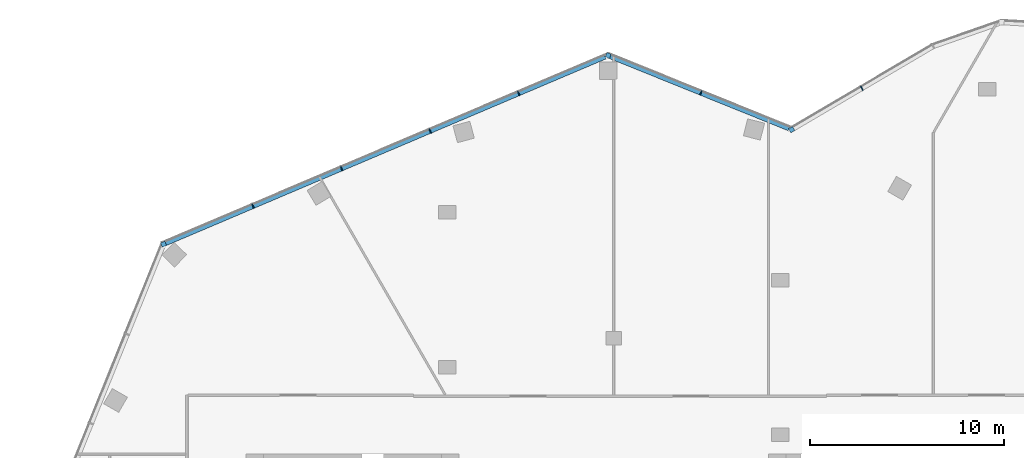
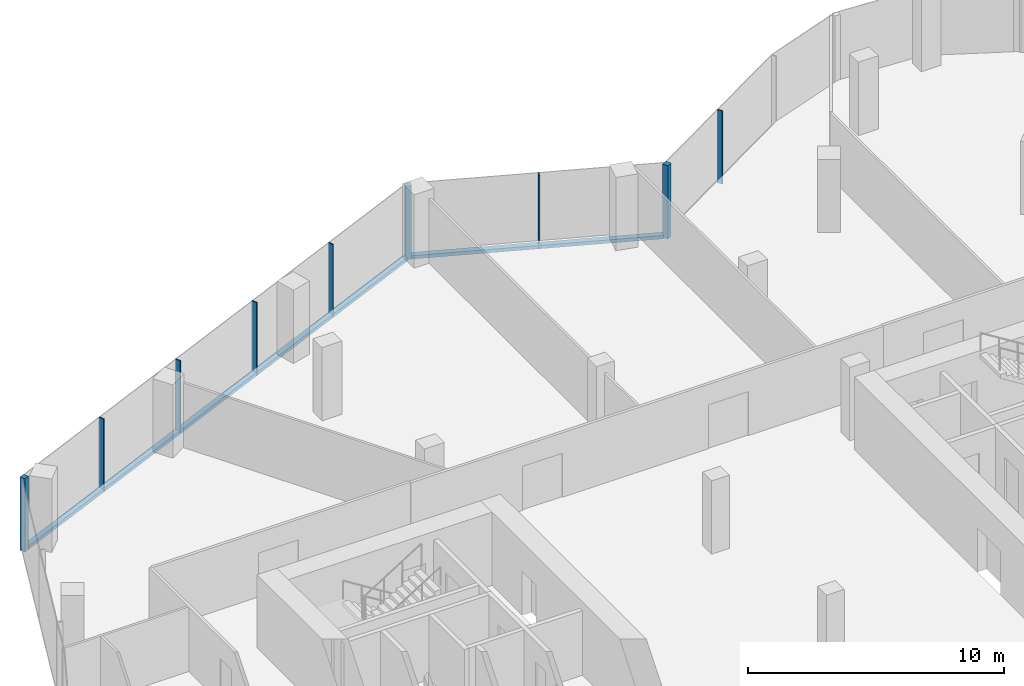
# One storey, part 8 of 16: 11 members, 3 elements without a shape of their own.
"""IFC4 building model written with IfcOpenShell, lengths in metres."""

from ifc_helpers import new_model, si_unit, direction, frame, origin, origin_2d, place, context, subcontext, project, spatial, rectangle, extrude, material, material_profile, profile_set, type_object, element, aggregate, save


model = new_model("IFC4")

# Units and contexts
model_context = context("Model", 3, precision=1e-05, world=origin(), true_north=direction((0.0, 1.0)))
body_context = subcontext(model_context, "Body", "Model", "MODEL_VIEW")
ifc_project = project(units=[si_unit("LENGTHUNIT", "METRE"), si_unit("AREAUNIT", "SQUARE_METRE"), si_unit("VOLUMEUNIT", "CUBIC_METRE"), si_unit("PLANEANGLEUNIT", "RADIAN"), si_unit("MASSUNIT", "GRAM", prefix="KILO")], contexts=[model_context])

# Site, building, storey
site_placement = place(None, origin())
site = spatial("IfcSite", under=ifc_project, at=site_placement, CompositionType="ELEMENT")
building_placement = place(site_placement, origin())
building = spatial("IfcBuilding", under=site, at=building_placement, Name="Orlundy Tower", CompositionType="ELEMENT")
storey_placement = place(building_placement, frame((0.0, 0.0, 285.89990234375)))
storey = spatial("IfcBuildingStorey", under=building, at=storey_placement, Name="L76", CompositionType="ELEMENT", Elevation=285.89990234375)

# Curtain wall, member
ifc_material_1 = material(Name="Aluminium bronze anodised", Category="aluminium")
curtain_wall_type = type_object("IfcCurtainWallType", Name="CW6 wall", PredefinedType="NOTDEFINED", material=ifc_material_1)
curtain_wall_1_placement = place(storey_placement, origin())
curtain_wall_1 = element("IfcCurtainWall", 1, at=curtain_wall_1_placement, inside=storey, type_object=curtain_wall_type, Name="CW6 run 016", PredefinedType="NOTDEFINED")
ifc_material_2 = material(Name="Aluminium bronze anodised", Category="aluminium")
ifc_material_profile_1 = material_profile(ifc_material_2, rectangle(XDim=0.239990234375, YDim=0.239990234375, at=origin_2d()), Name="CW6 corner post 240x240")
ifc_profile_set_1 = profile_set([ifc_material_profile_1], Name="Aluminium bronze anodised")
member_type_1 = type_object("IfcMemberType", Name="CW6 corner post 240x240", PredefinedType="MULLION", material=ifc_profile_set_1)
member_1_placement = place(storey_placement, frame((-23.253662109375, 22.85107421875, -0.39990234375), z_axis=(0.0, 0.0, 1.0), x_axis=(-0.390726531244, 0.920506804854, 0.0)))
member_1 = element("IfcMember", 2, at=member_1_placement, type_object=member_type_1, Name="CW6 mullion 32", PredefinedType="MULLION", context=body_context, shape_type="SweptSolid", body=[
    extrude(rectangle(XDim=0.239990234375, YDim=0.239990234375, at=origin_2d()), origin(), (0.0, 0.0, 1.0), 3.5),
])

curtain_wall_2_placement = place(storey_placement, origin())
curtain_wall_2 = element("IfcCurtainWall", 3, at=curtain_wall_2_placement, inside=storey, type_object=curtain_wall_type, Name="CW6 run 017", PredefinedType="NOTDEFINED")
member_2_placement = place(storey_placement, frame((-0.2841796875, 32.600830078125, -0.39990234375), z_axis=(0.0, 0.0, 1.0), x_axis=(0.374639101319, 0.927170719858, 0.0)))
member_2 = element("IfcMember", 4, at=member_2_placement, type_object=member_type_1, Name="CW6 mullion 37", PredefinedType="MULLION", context=body_context, shape_type="SweptSolid", body=[
    extrude(rectangle(XDim=0.239990234375, YDim=0.239990234375, at=origin_2d()), origin(), (0.0, 0.0, 1.0), 3.5),
])

curtain_wall_3_placement = place(storey_placement, origin())
curtain_wall_3 = element("IfcCurtainWall", 5, at=curtain_wall_3_placement, inside=storey, type_object=curtain_wall_type, Name="CW6 run 018", PredefinedType="NOTDEFINED")
member_3_placement = place(storey_placement, frame((9.197998046875, 28.76953125, -0.39990234375), z_axis=(0.0, 0.0, 1.0), x_axis=(-0.5074810252, 0.861662932394, 0.0)))
member_3 = element("IfcMember", 6, at=member_3_placement, type_object=member_type_1, Name="CW6 mullion 39", PredefinedType="MULLION", context=body_context, shape_type="SweptSolid", body=[
    extrude(rectangle(XDim=0.239990234375, YDim=0.239990234375, at=origin_2d()), origin(), (0.0, 0.0, 1.0), 3.5),
])

# Member
ifc_material_3 = material(Name="Aluminium bronze anodised", Category="aluminium")
ifc_material_profile_2 = material_profile(ifc_material_3, rectangle(XDim=0.239990234375, YDim=0.050048828125, at=origin_2d()), Name="CW6 mullion 50x240")
ifc_profile_set_2 = profile_set([ifc_material_profile_2], Name="Aluminium bronze anodised")
member_type_2 = type_object("IfcMemberType", Name="CW6 mullion 50x240", PredefinedType="MULLION", material=ifc_profile_set_2)
member_4_placement = place(storey_placement, frame((-18.63232421875, 24.812744140625, -0.39990234375), z_axis=(0.0, 0.0, 1.0), x_axis=(-0.390726531244, 0.920506804854, 0.0)))
member_4 = element("IfcMember", 7, at=member_4_placement, type_object=member_type_2, Name="CW6 mullion 33", PredefinedType="MULLION", context=body_context, shape_type="SweptSolid", body=[
    extrude(rectangle(XDim=0.239990234375, YDim=0.050048828125, at=origin_2d()), origin(), (0.0, 0.0, 1.0), 3.5),
])

member_5_placement = place(storey_placement, frame((-14.056640625, 26.7548828125, -0.39990234375), z_axis=(0.0, 0.0, 1.0), x_axis=(-0.390726531244, 0.920506804854, 0.0)))
member_5 = element("IfcMember", 8, at=member_5_placement, type_object=member_type_2, Name="CW6 mullion 34", PredefinedType="MULLION", context=body_context, shape_type="SweptSolid", body=[
    extrude(rectangle(XDim=0.239990234375, YDim=0.050048828125, at=origin_2d()), origin(), (0.0, 0.0, 1.0), 3.5),
])

member_6_placement = place(storey_placement, frame((-9.481201171875, 28.697021484375, -0.39990234375), z_axis=(0.0, 0.0, 1.0), x_axis=(-0.390726531244, 0.920506804854, 0.0)))
member_6 = element("IfcMember", 9, at=member_6_placement, type_object=member_type_2, Name="CW6 mullion 35", PredefinedType="MULLION", context=body_context, shape_type="SweptSolid", body=[
    extrude(rectangle(XDim=0.239990234375, YDim=0.050048828125, at=origin_2d()), origin(), (0.0, 0.0, 1.0), 3.5),
])

member_7_placement = place(storey_placement, frame((-4.905517578125, 30.63916015625, -0.39990234375), z_axis=(0.0, 0.0, 1.0), x_axis=(-0.390726531244, 0.920506804854, 0.0)))
member_7 = element("IfcMember", 10, at=member_7_placement, type_object=member_type_2, Name="CW6 mullion 36", PredefinedType="MULLION", context=body_context, shape_type="SweptSolid", body=[
    extrude(rectangle(XDim=0.239990234375, YDim=0.050048828125, at=origin_2d()), origin(), (0.0, 0.0, 1.0), 3.5),
])

member_8_placement = place(storey_placement, frame((4.507568359375, 30.664794921875, -0.39990234375), z_axis=(0.0, 0.0, 1.0), x_axis=(0.374639101319, 0.927170719858, 0.0)))
member_8 = element("IfcMember", 11, at=member_8_placement, type_object=member_type_2, Name="CW6 mullion 38", PredefinedType="MULLION", context=body_context, shape_type="SweptSolid", body=[
    extrude(rectangle(XDim=0.239990234375, YDim=0.050048828125, at=origin_2d()), origin(), (0.0, 0.0, 1.0), 3.5),
])

member_9_placement = place(storey_placement, frame((12.822998046875, 30.904296875, -0.39990234375), z_axis=(0.0, 0.0, 1.0), x_axis=(-0.5074810252, 0.861662932394, 0.0)))
member_9 = element("IfcMember", 12, at=member_9_placement, type_object=member_type_2, Name="CW6 mullion 40", PredefinedType="MULLION", context=body_context, shape_type="SweptSolid", body=[
    extrude(rectangle(XDim=0.239990234375, YDim=0.050048828125, at=origin_2d()), origin(), (0.0, 0.0, 1.0), 3.5),
])

aggregate(curtain_wall_3, [member_3, member_9])

ifc_material_4 = material(Name="Aluminium bronze anodised", Category="aluminium")
ifc_material_profile_3 = material_profile(ifc_material_4, rectangle(XDim=0.239990234375, YDim=0.159912109375, at=origin_2d()), Name="CW6 transom 240x160")
ifc_profile_set_3 = profile_set([ifc_material_profile_3], Name="Aluminium bronze anodised")
member_type_3 = type_object("IfcMemberType", Name="CW6 transom 240x160", PredefinedType="USERDEFINED", material=ifc_profile_set_3)
member_10_placement = place(storey_placement, frame((-23.14306640625, 22.89794921875, -0.31982421875), z_axis=(0.920504544268, 0.390731856881, 0.0), x_axis=(-0.390731856881, 0.920504544268, 0.0)))
member_10 = element("IfcMember", 13, at=member_10_placement, type_object=member_type_3, Name="CW6 transom", ObjectType="TRANSOM", PredefinedType="USERDEFINED", context=body_context, shape_type="SweptSolid", body=[
    extrude(rectangle(XDim=0.239990234375, YDim=0.159912109375, at=origin_2d()), origin(), (0.0, 0.0, 1.0), 24.663330078125),
])

aggregate(curtain_wall_1, [member_1, member_4, member_5, member_6, member_7, member_10])

member_11_placement = place(storey_placement, frame((-0.1728515625, 32.555908203125, -0.31982421875), z_axis=(0.927173868199, -0.374631309595, 0.0), x_axis=(0.374631309595, 0.927173868199, 0.0)))
member_11 = element("IfcMember", 14, at=member_11_placement, type_object=member_type_3, Name="CW6 transom", ObjectType="TRANSOM", PredefinedType="USERDEFINED", context=body_context, shape_type="SweptSolid", body=[
    extrude(rectangle(XDim=0.239990234375, YDim=0.159912109375, at=origin_2d()), origin(), (0.0, 0.0, 1.0), 9.955810546875),
])

aggregate(curtain_wall_2, [member_2, member_8, member_11])

save(model, "model.ifc")
